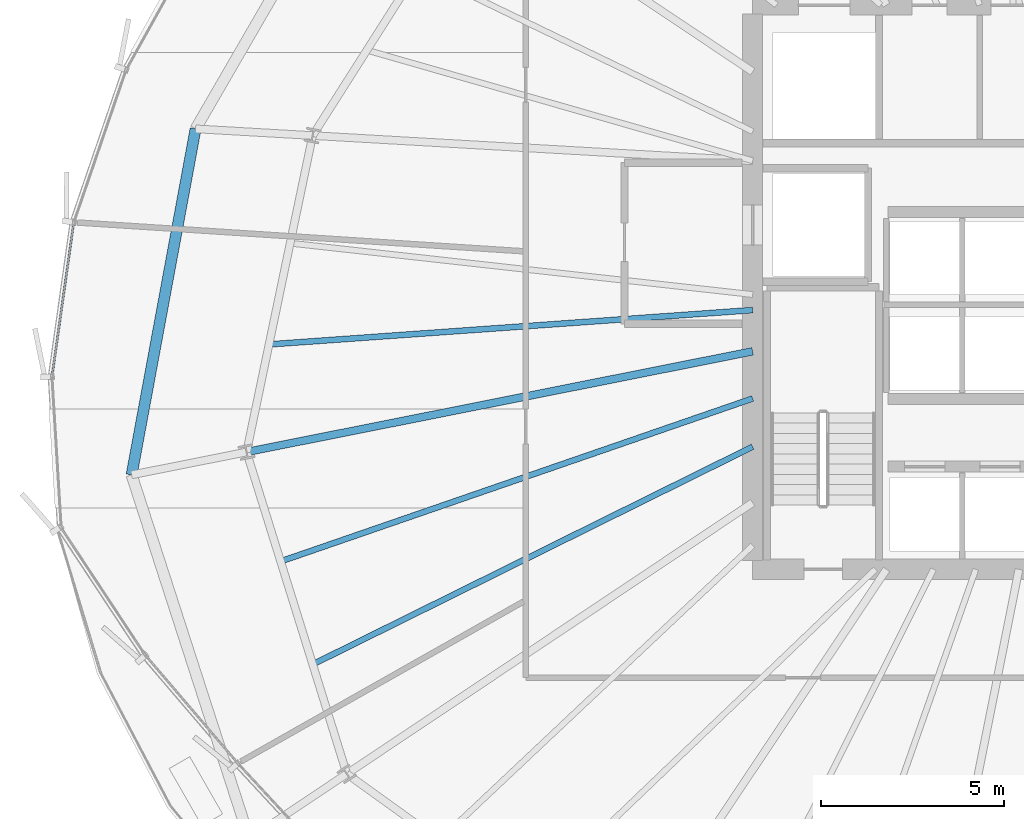
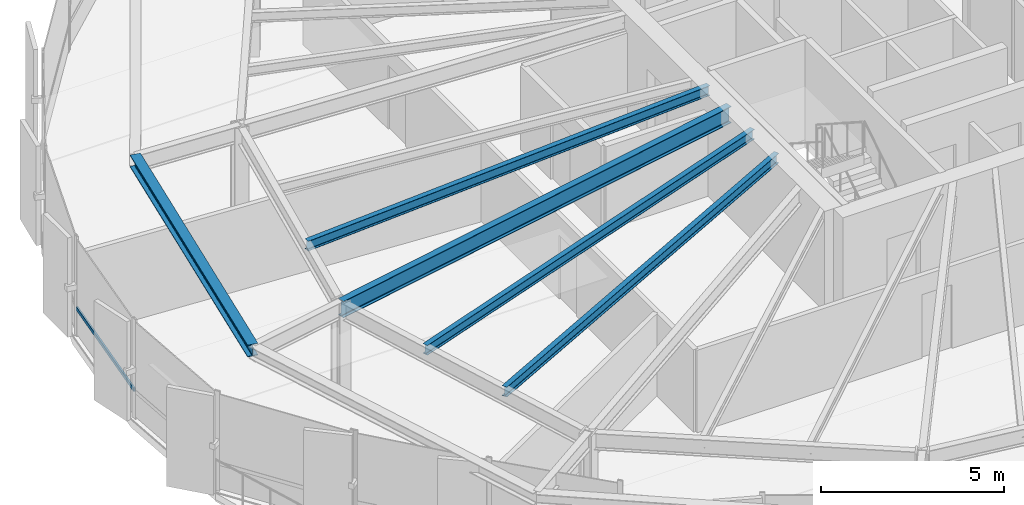
# One storey, part 8 of 35: 5 beams, 1 member, 1 element without a shape of its own.
"""IFC4 building model written with IfcOpenShell, lengths in metres."""

from ifc_helpers import new_model, si_unit, direction, frame, origin, origin_2d, place, context, subcontext, project, spatial, hollow_rectangle, i_section, extrude, source, transform, mapped, material, layer, layer_set, material_profile, profile_set, type_object, element, aggregate, save


model = new_model("IFC4")

# Units and contexts
model_context = context("Model", 3, precision=1e-05, world=origin(), true_north=direction((0.0, 1.0)))
body_context = subcontext(model_context, "Body", "Model", "MODEL_VIEW")
ifc_project = project(units=[si_unit("LENGTHUNIT", "METRE"), si_unit("AREAUNIT", "SQUARE_METRE"), si_unit("VOLUMEUNIT", "CUBIC_METRE"), si_unit("PLANEANGLEUNIT", "RADIAN"), si_unit("MASSUNIT", "GRAM", prefix="KILO"), si_unit("THERMODYNAMICTEMPERATUREUNIT", "KELVIN")], contexts=[model_context])

# Site, building, storey
site_placement = place(None, origin())
site = spatial("IfcSite", under=ifc_project, at=site_placement, CompositionType="ELEMENT")
building_placement = place(site_placement, origin())
building = spatial("IfcBuilding", under=site, at=building_placement, Name="Kethvar Cultural Tower", CompositionType="ELEMENT")
storey_placement = place(building_placement, frame((0.0, 0.0, 121.60009765625)))
storey = spatial("IfcBuildingStorey", under=building, at=storey_placement, Name="L30", CompositionType="ELEMENT", Elevation=121.60009765625)

# Beams
ifc_material_1 = material(Name="Steel S355J2", Category="steel")
ifc_material_profile_1 = material_profile(ifc_material_1, i_section(OverallWidth=0.2099609375, OverallDepth=0.550048828125, WebThickness=0.010986328125, FlangeThickness=0.01708984375, FilletRadius=0.02392578125, at=origin_2d()), Name="Steel S355J2 — IPE550")
ifc_profile_set_1 = profile_set([ifc_material_profile_1], Name="Steel S355J2 — IPE550")
beam_type_1 = type_object("IfcBeamType", Name="BM-IPE550", PredefinedType="BEAM", material=ifc_profile_set_1)
shared_shape_1 = source(origin(), body_context, "Body", "SweptSolid", [
    extrude(i_section(OverallWidth=0.2099609375, OverallDepth=0.550048828125, WebThickness=0.010986328125, FlangeThickness=0.01708984375, FilletRadius=0.02392578125, at=origin_2d()), origin(), (0.0, 0.0, 1.0), 14.085205078125),
])
beam_1_placement = place(storey_placement, frame((38.0, 26.049560546875, 3.072998046875), z_axis=(-0.98078679373, -0.195082713854, 0.0), x_axis=(0.195082713854, -0.98078679373, 0.0)))
element("IfcBeam", 1, at=beam_1_placement, inside=storey, type_object=beam_type_1, Name="L30 Primary Radial Beam RB-09", PredefinedType="BEAM", context=body_context, shape_type="MappedRepresentation", body=[
    mapped(shared_shape_1, transform((0.0, 0.0, 0.0), scale=1.0)),
])
ifc_material_profile_2 = material_profile(ifc_material_1, i_section(OverallWidth=0.300048828125, OverallDepth=0.39990234375, WebThickness=0.013427734375, FlangeThickness=0.02392578125, FilletRadius=0.027099609375, at=origin_2d()), Name="Steel S355J2 — HEB400")
ifc_profile_set_2 = profile_set([ifc_material_profile_2], Name="Steel S355J2 — HEB400")
beam_type_2 = type_object("IfcBeamType", Name="BM-SP400", PredefinedType="SPANDREL", material=ifc_profile_set_2)
shared_shape_2 = source(origin(), body_context, "Body", "SweptSolid", [
    extrude(i_section(OverallWidth=0.300048828125, OverallDepth=0.39990234375, WebThickness=0.013427734375, FlangeThickness=0.02392578125, FilletRadius=0.027099609375, at=origin_2d()), origin(), (0.0, 0.0, 1.0), 9.605712890625),
])
beam_2_placement = place(storey_placement, frame((22.793701171875, 32.123046875, 3.14794921875), z_axis=(-0.1818526217, -0.983325797476, 0.0), x_axis=(0.983325797476, -0.1818526217, 0.0)))
element("IfcBeam", 2, at=beam_2_placement, inside=storey, type_object=beam_type_2, Name="L30 Perimeter Spandrel Beam SP-08", PredefinedType="SPANDREL", context=body_context, shape_type="MappedRepresentation", body=[
    mapped(shared_shape_2, transform((0.0, 0.0, 0.0), scale=1.0)),
])
ifc_material_profile_3 = material_profile(ifc_material_1, i_section(OverallWidth=0.159912109375, OverallDepth=0.330078125, WebThickness=0.007568359375, FlangeThickness=0.011474609375, FilletRadius=0.01806640625, at=origin_2d()), Name="Steel S355J2 — IPE330")
ifc_profile_set_3 = profile_set([ifc_material_profile_3], Name="Steel S355J2 — IPE330")
beam_type_3 = type_object("IfcBeamType", Name="BM-J330", PredefinedType="JOIST", material=ifc_profile_set_3)
shared_shape_3 = source(origin(), body_context, "Body", "SweptSolid", [
    extrude(i_section(OverallWidth=0.159912109375, OverallDepth=0.330078125, WebThickness=0.007568359375, FlangeThickness=0.011474609375, FilletRadius=0.01806640625, at=origin_2d()), origin(), (0.0, 0.0, 1.0), 13.234619140625),
])
beam_3_placement = place(storey_placement, frame((38.0, 27.175537109375, 3.182861328125), z_axis=(-0.997490530945, -0.070800004767, 0.0), x_axis=(0.070800004767, -0.997490530945, 0.0)))
element("IfcBeam", 3, at=beam_3_placement, inside=storey, type_object=beam_type_3, Name="L30 Composite Floor Joist J-08B", PredefinedType="JOIST", context=body_context, shape_type="MappedRepresentation", body=[
    mapped(shared_shape_3, transform((0.0, 0.0, 0.0), scale=1.0)),
])
shared_shape_4 = source(origin(), body_context, "Body", "SweptSolid", [
    extrude(i_section(OverallWidth=0.159912109375, OverallDepth=0.330078125, WebThickness=0.007568359375, FlangeThickness=0.011474609375, FilletRadius=0.01806640625, at=origin_2d()), origin(), (0.0, 0.0, 1.0), 13.630615234375),
])
beam_4_placement = place(storey_placement, frame((38.0, 24.762451171875, 3.182861328125), z_axis=(-0.945269577646, -0.326290400682, 0.0), x_axis=(0.326290400682, -0.945269577646, 0.0)))
element("IfcBeam", 4, at=beam_4_placement, inside=storey, type_object=beam_type_3, Name="L30 Composite Floor Joist J-09A", PredefinedType="JOIST", context=body_context, shape_type="MappedRepresentation", body=[
    mapped(shared_shape_4, transform((0.0, 0.0, 0.0), scale=1.0)),
])
shared_shape_5 = source(origin(), body_context, "Body", "SweptSolid", [
    extrude(i_section(OverallWidth=0.159912109375, OverallDepth=0.330078125, WebThickness=0.007568359375, FlangeThickness=0.011474609375, FilletRadius=0.01806640625, at=origin_2d()), origin(), (0.0, 0.0, 1.0), 13.39892578125),
])
beam_5_placement = place(storey_placement, frame((38.0, 23.44580078125, 3.182861328125), z_axis=(-0.896292467417, -0.44346342899, 0.0), x_axis=(0.44346342899, -0.896292467417, 0.0)))
element("IfcBeam", 5, at=beam_5_placement, inside=storey, type_object=beam_type_3, Name="L30 Composite Floor Joist J-09B", PredefinedType="JOIST", context=body_context, shape_type="MappedRepresentation", body=[
    mapped(shared_shape_5, transform((0.0, 0.0, 0.0), scale=1.0)),
])

# Curtain wall, member
ifc_material_2 = material(Name="Aluminium 6063-T6", Category="aluminium")
ifc_layer = layer(ifc_material_2, 0.179931640625, Name="Aluminium 6063-T6", Category="aluminium")
ifc_layer_set = layer_set([ifc_layer], Name="Aluminium 6063-T6 (180 mm)")
curtain_wall_type = type_object("IfcCurtainWallType", Name="CW-SYS-03-Z2", PredefinedType="NOTDEFINED", material=ifc_layer_set)
curtain_wall_placement = place(storey_placement, origin())
curtain_wall = element("IfcCurtainWall", 6, at=curtain_wall_placement, inside=storey, type_object=curtain_wall_type, Name="L30 Curtain Wall Run 03", PredefinedType="NOTDEFINED")
ifc_material_profile_4 = material_profile(ifc_material_2, hollow_rectangle(XDim=0.054931640625, YDim=0.1201171875, WallThickness=0.00390625, at=origin_2d()), Name="Aluminium 6063-T6 — RHS120x55x4")
ifc_profile_set_4 = profile_set([ifc_material_profile_4], Name="Aluminium 6063-T6 — RHS120x55x4")
member_type = type_object("IfcMemberType", Name="CW-SYS-03-Z2-TRN", PredefinedType="USERDEFINED", material=ifc_profile_set_4)
shared_shape_6 = source(origin(), body_context, "Body", "SweptSolid", [
    extrude(hollow_rectangle(XDim=0.054931640625, YDim=0.1201171875, WallThickness=0.00390625, at=origin_2d()), origin(), (0.0, 0.0, 1.0), 4.190673828125),
])
member_placement = place(storey_placement, frame((19.462646484375, 29.529541015625, 0.949951171875), z_axis=(-0.139700231443, -0.990193842303, 0.0), x_axis=(0.990193842303, -0.139700231443, 0.0)))
member = element("IfcMember", 7, at=member_placement, type_object=member_type, Name="CW-L30-R03 Transom 4", ObjectType="TRANSOM", PredefinedType="USERDEFINED", context=body_context, shape_type="MappedRepresentation", body=[
    mapped(shared_shape_6, transform((0.0, 0.0, 0.0), scale=1.0)),
])
aggregate(curtain_wall, [member])

save(model, "model.ifc")
